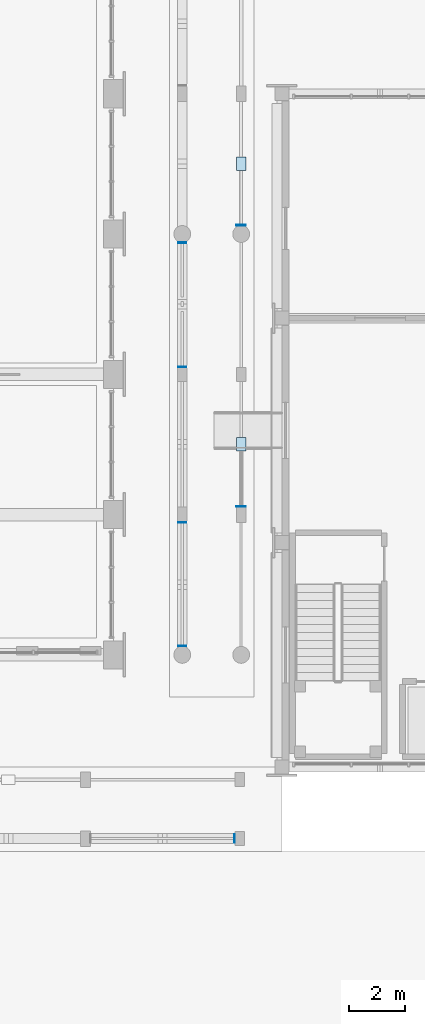
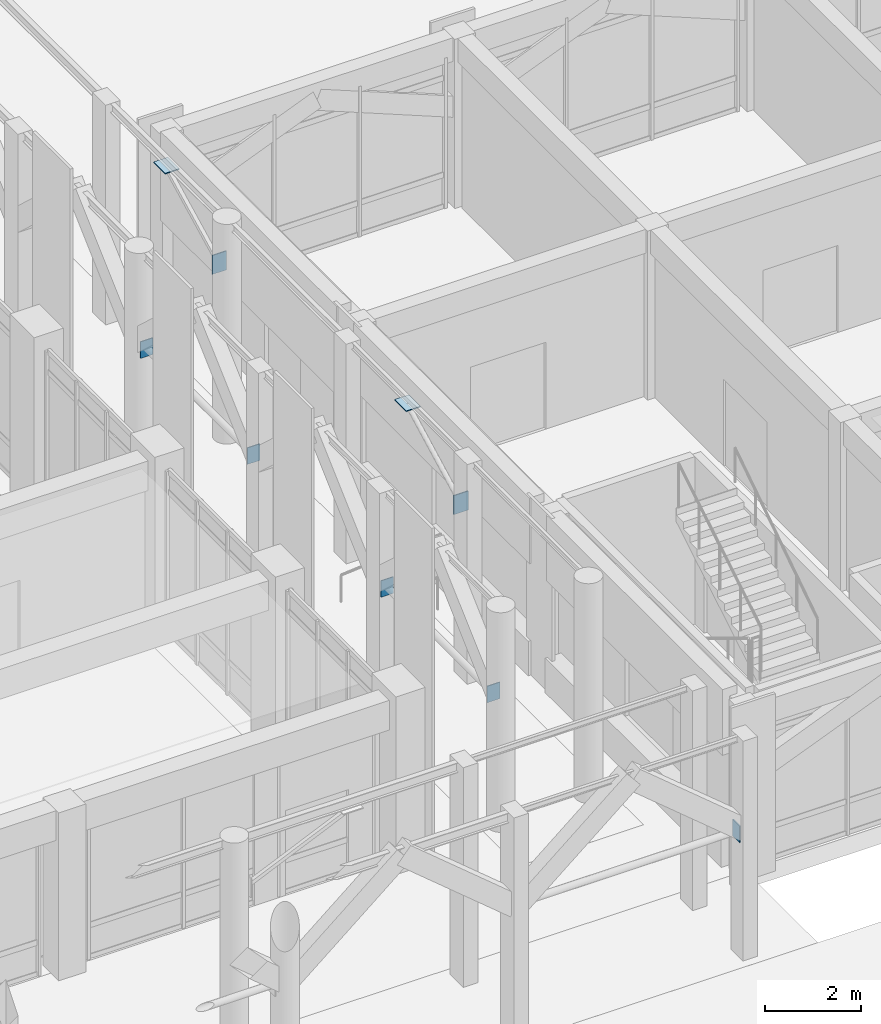
# One storey, part 83 of 135: 9 plates.
"""IFC4 building model written with IfcOpenShell, lengths in metres."""

from ifc_helpers import new_model, si_unit, direction, frame, origin, origin_2d, place, context, subcontext, project, spatial, rectangle, extrude, material, layer, layer_set, type_object, element, save


model = new_model("IFC4")

# Units and contexts
model_context = context("Model", 3, precision=1e-05, world=origin(), true_north=direction((0.0, 1.0)))
body_context = subcontext(model_context, "Body", "Model", "MODEL_VIEW")
ifc_project = project(units=[si_unit("LENGTHUNIT", "METRE"), si_unit("AREAUNIT", "SQUARE_METRE"), si_unit("VOLUMEUNIT", "CUBIC_METRE"), si_unit("PLANEANGLEUNIT", "RADIAN"), si_unit("MASSUNIT", "GRAM", prefix="KILO")], contexts=[model_context])

# Site, building, storey
site_placement = place(None, origin())
site = spatial("IfcSite", under=ifc_project, at=site_placement, CompositionType="ELEMENT")
building_placement = place(site_placement, origin())
building = spatial("IfcBuilding", under=site, at=building_placement, Name="Kiranvali Square Residences", CompositionType="ELEMENT")
storey_placement = place(building_placement, origin())
storey = spatial("IfcBuildingStorey", under=building, at=storey_placement, Name="L00", CompositionType="ELEMENT", Elevation=0.0)

# Plates
ifc_material = material(Name="Structural steel E350", Category="steel")
ifc_layer_1 = layer(ifc_material, 0.02001953125)
ifc_layer_set_1 = layer_set([ifc_layer_1], Name="Structural steel E350")
plate_type_1 = type_object("IfcPlateType", Name="PLT-ENDCAP-20", PredefinedType="SHEET", material=ifc_layer_set_1)
plate_1_placement = place(storey_placement, frame((100.31396484375, 37.449951171875, 2.93994140625), z_axis=(0.0, 0.0, 1.0), x_axis=(1.0, 0.0, 0.0)))
element("IfcPlate", 1, at=plate_1_placement, inside=storey, type_object=plate_type_1, Name="Colonnade tie-rod end plate ARC-GDN-S-11B", PredefinedType="SHEET", context=body_context, shape_type="SweptSolid", body=[
    extrude(rectangle(XDim=0.02001953125, YDim=0.300048828125, at=origin_2d()), origin(), (0.0, 0.0, 1.0), 0.419921875),
])
for number, where, z_axis, x_axis, name in (
    (2, (98.449951171875, 44.31103515625, 2.93994140625), (0.0, 0.0, 1.0), (1.0, 0.0, 0.0), "Colonnade tie-rod end plate ARC-GDN-E-1A"),
    (3, (98.449951171875, 48.714111328125, 2.93994140625), (0.0, 0.0, 1.0), (1.0, 0.0, 0.0), "Colonnade tie-rod end plate ARC-GDN-E-1B"),
    (4, (98.449951171875, 54.260986328125, 2.93994140625), (0.0, 0.0, 1.0), (1.0, 0.0, 0.0), "Colonnade tie-rod end plate ARC-GDN-E-3A"),
    (5, (98.449951171875, 58.68896484375, 2.93994140625), (0.0, 0.0, 1.0), (1.0, 0.0, 0.0), "Colonnade tie-rod end plate ARC-GDN-E-3B"),
):
    element("IfcPlate", number, at=place(storey_placement, frame(where, z_axis=z_axis, x_axis=x_axis)), inside=storey, type_object=plate_type_1, Name=name, PredefinedType="SHEET", context=body_context, shape_type="SweptSolid", body=[
        extrude(rectangle(XDim=0.300048828125, YDim=0.02001953125, at=origin_2d()), origin(), (0.0, 0.0, 1.0), 0.419921875),
    ])
ifc_layer_2 = layer(ifc_material, 0.02490234375)
ifc_layer_set_2 = layer_set([ifc_layer_2], Name="Structural steel E350")
plate_type_2 = type_object("IfcPlateType", Name="PLT-GUSSET-25", PredefinedType="USERDEFINED", material=ifc_layer_set_2)
plate_2_placement = place(storey_placement, frame((100.550048828125, 49.2890625, 3.9599609375), z_axis=(0.0, 0.0, 1.0), x_axis=(1.0, 0.0, 0.0)))
element("IfcPlate", 6, at=plate_2_placement, inside=storey, type_object=plate_type_2, Name="Colonnade knee-brace lower gusset ARC-GDN-E-2A", ObjectType="GUSSET PLATE", PredefinedType="USERDEFINED", context=body_context, shape_type="SweptSolid", body=[
    extrude(rectangle(XDim=0.340087890625, YDim=0.02490234375, at=origin_2d()), origin(), (0.0, 0.0, 1.0), 0.47998046875),
])
plate_3_placement = place(storey_placement, frame((100.550048828125, 51.5, 5.358642578125), z_axis=(0.0, 0.0, 1.0), x_axis=(1.0, 0.0, 0.0)))
element("IfcPlate", 7, at=plate_3_placement, inside=storey, type_object=plate_type_2, Name="Colonnade knee-brace upper gusset ARC-GDN-E-2B", ObjectType="GUSSET PLATE", PredefinedType="USERDEFINED", context=body_context, shape_type="SweptSolid", body=[
    extrude(rectangle(XDim=0.340087890625, YDim=0.47998046875, at=origin_2d()), origin(), (0.0, 0.0, 1.0), 0.02490234375),
])
plate_4_placement = place(storey_placement, frame((100.550048828125, 59.31396484375, 3.9599609375), z_axis=(0.0, 0.0, 1.0), x_axis=(1.0, 0.0, 0.0)))
element("IfcPlate", 8, at=plate_4_placement, inside=storey, type_object=plate_type_2, Name="Colonnade knee-brace lower gusset ARC-GDN-E-4A", ObjectType="GUSSET PLATE", PredefinedType="USERDEFINED", context=body_context, shape_type="SweptSolid", body=[
    extrude(rectangle(XDim=0.340087890625, YDim=0.02490234375, at=origin_2d()), origin(), (0.0, 0.0, 1.0), 0.47998046875),
])
plate_5_placement = place(storey_placement, frame((100.550048828125, 61.5, 5.30859375), z_axis=(0.0, 0.0, 1.0), x_axis=(1.0, 0.0, 0.0)))
element("IfcPlate", 9, at=plate_5_placement, inside=storey, type_object=plate_type_2, Name="Colonnade knee-brace upper gusset ARC-GDN-E-4B", ObjectType="GUSSET PLATE", PredefinedType="USERDEFINED", context=body_context, shape_type="SweptSolid", body=[
    extrude(rectangle(XDim=0.340087890625, YDim=0.47998046875, at=origin_2d()), origin(), (0.0, 0.0, 1.0), 0.02490234375),
])

save(model, "model.ifc")
